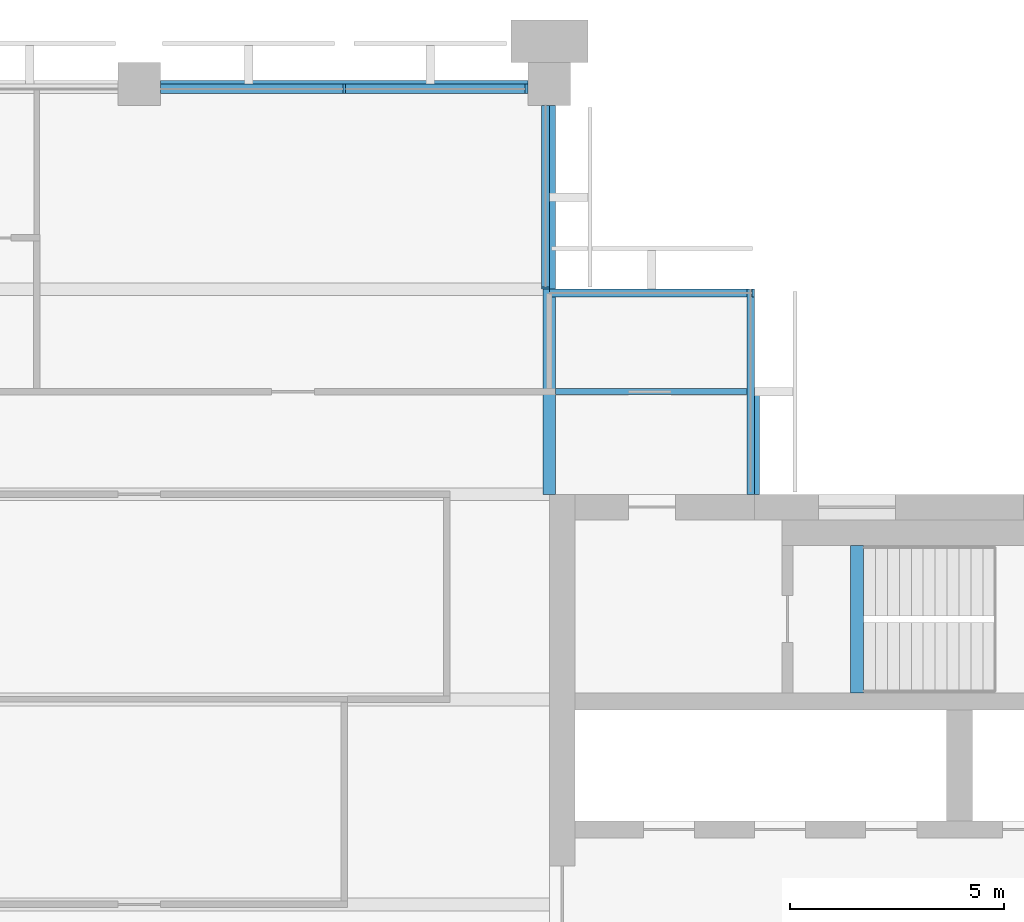
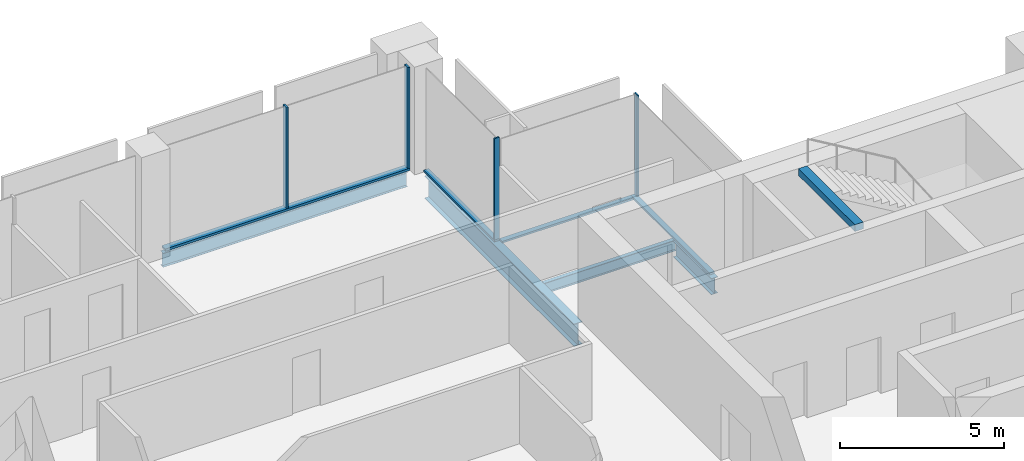
# One storey, part 6 of 12: 8 members, 5 beams, 4 elements without a shape of their own.
"""IFC4 building model written with IfcOpenShell, lengths in metres."""

from ifc_helpers import new_model, si_unit, direction, frame, origin, origin_2d, place, context, subcontext, project, spatial, rectangle, i_section, extrude, material, material_profile, profile_set, type_object, element, aggregate, save


model = new_model("IFC4")

# Units and contexts
model_context = context("Model", 3, precision=1e-05, world=origin(), true_north=direction((0.0, 1.0)))
body_context = subcontext(model_context, "Body", "Model", "MODEL_VIEW")
ifc_project = project(units=[si_unit("LENGTHUNIT", "METRE"), si_unit("AREAUNIT", "SQUARE_METRE"), si_unit("VOLUMEUNIT", "CUBIC_METRE"), si_unit("PLANEANGLEUNIT", "RADIAN"), si_unit("MASSUNIT", "GRAM", prefix="KILO")], contexts=[model_context])

# Site, building, storey
site_placement = place(None, origin())
site = spatial("IfcSite", under=ifc_project, at=site_placement, CompositionType="ELEMENT")
building_placement = place(site_placement, origin())
building = spatial("IfcBuilding", under=site, at=building_placement, Name="Baori Bourse Tower", CompositionType="ELEMENT")
storey_placement = place(building_placement, frame((0.0, 0.0, 286.300048828125)))
storey = spatial("IfcBuildingStorey", under=building, at=storey_placement, Name="L62", CompositionType="ELEMENT", Elevation=286.300048828125)

# Curtain wall, member
ifc_material_1 = material(Name="Pale anodised aluminium", Category="aluminium")
curtain_wall_type_1 = type_object("IfcCurtainWallType", Name="CW2 Curtain wall", PredefinedType="NOTDEFINED", material=ifc_material_1)
curtain_wall_1_placement = place(storey_placement, origin())
curtain_wall_1 = element("IfcCurtainWall", 1, at=curtain_wall_1_placement, inside=storey, type_object=curtain_wall_type_1, Name="Curtain wall CW2 L62 2", PredefinedType="NOTDEFINED")
ifc_material_2 = material(Name="Pale anodised aluminium", Category="aluminium")
ifc_material_profile_1 = material_profile(ifc_material_2, rectangle(XDim=0.179931640625, YDim=0.054931640625, at=origin_2d()), Name="Mullion 55x180")
ifc_profile_set_1 = profile_set([ifc_material_profile_1], Name="Pale anodised aluminium")
member_type_1 = type_object("IfcMemberType", Name="CW2 Curtain wall mullion", PredefinedType="MULLION", material=ifc_profile_set_1)
member_1_placement = place(storey_placement, frame((43.172607421875, 43.110107421875, 0.070068359375), z_axis=(0.0, 0.0, 1.0), x_axis=(0.0, -1.0, 0.0)))
member_1 = element("IfcMember", 2, at=member_1_placement, type_object=member_type_1, Name="Curtain wall CW2 mullion", PredefinedType="MULLION", context=body_context, shape_type="SweptSolid", body=[
    extrude(rectangle(XDim=0.179931640625, YDim=0.054931640625, at=origin_2d()), origin(), (0.0, 0.0, 1.0), 3.769775390625),
])

curtain_wall_2_placement = place(storey_placement, origin())
curtain_wall_2 = element("IfcCurtainWall", 3, at=curtain_wall_2_placement, inside=storey, type_object=curtain_wall_type_1, Name="Curtain wall CW2 L62 3", PredefinedType="NOTDEFINED")
member_2_placement = place(storey_placement, frame((38.31005859375, 43.2275390625, 0.070068359375), z_axis=(0.0, 0.0, 1.0), x_axis=(-1.0, 0.0, 0.0)))
member_2 = element("IfcMember", 4, at=member_2_placement, type_object=member_type_1, Name="Curtain wall CW2 mullion", PredefinedType="MULLION", context=body_context, shape_type="SweptSolid", body=[
    extrude(rectangle(XDim=0.179931640625, YDim=0.054931640625, at=origin_2d()), origin(), (0.0, 0.0, 1.0), 3.769775390625),
])

curtain_wall_3_placement = place(storey_placement, origin())
curtain_wall_3 = element("IfcCurtainWall", 5, at=curtain_wall_3_placement, inside=storey, type_object=curtain_wall_type_1, Name="Curtain wall CW2 L62 1", PredefinedType="NOTDEFINED")
ifc_material_3 = material(Name="Pale anodised aluminium", Category="aluminium")
ifc_material_profile_2 = material_profile(ifc_material_3, rectangle(XDim=0.179931640625, YDim=0.070068359375, at=origin_2d()), Name="Transom 70x180")
ifc_profile_set_2 = profile_set([ifc_material_profile_2], Name="Pale anodised aluminium")
member_type_2 = type_object("IfcMemberType", Name="CW2 Curtain wall transom", PredefinedType="USERDEFINED", material=ifc_profile_set_2)
member_3_placement = place(storey_placement, frame((43.110107421875, 38.39990234375, 0.034912109375), z_axis=(0.0, 1.0, 0.0), x_axis=(-1.0, 0.0, 0.0)))
member_3 = element("IfcMember", 6, at=member_3_placement, type_object=member_type_2, Name="Curtain wall CW2 sill rail", ObjectType="TRANSOM", PredefinedType="USERDEFINED", context=body_context, shape_type="SweptSolid", body=[
    extrude(rectangle(XDim=0.179931640625, YDim=0.070068359375, at=origin_2d()), origin(), (0.0, 0.0, 1.0), 4.800048828125),
])
aggregate(curtain_wall_3, [member_3])

# Member
member_4_placement = place(storey_placement, frame((43.199951171875, 43.110107421875, 0.034912109375), z_axis=(-1.0, 0.0, 0.0), x_axis=(0.0, -1.0, 0.0)))
member_4 = element("IfcMember", 7, at=member_4_placement, type_object=member_type_2, Name="Curtain wall CW2 sill rail", ObjectType="TRANSOM", PredefinedType="USERDEFINED", context=body_context, shape_type="SweptSolid", body=[
    extrude(rectangle(XDim=0.179931640625, YDim=0.070068359375, at=origin_2d()), origin(), (0.0, 0.0, 1.0), 4.800048828125),
])

aggregate(curtain_wall_1, [member_4, member_1])

member_5_placement = place(storey_placement, frame((38.31005859375, 43.199951171875, 0.034912109375), z_axis=(0.0, 1.0, 0.0), x_axis=(-1.0, 0.0, 0.0)))
member_5 = element("IfcMember", 8, at=member_5_placement, type_object=member_type_2, Name="Curtain wall CW2 sill rail", ObjectType="TRANSOM", PredefinedType="USERDEFINED", context=body_context, shape_type="SweptSolid", body=[
    extrude(rectangle(XDim=0.179931640625, YDim=0.070068359375, at=origin_2d()), origin(), (0.0, 0.0, 1.0), 4.300048828125),
])

aggregate(curtain_wall_2, [member_5, member_2])

# Curtain wall, members
ifc_material_4 = material(Name="Pale anodised aluminium", Category="aluminium")
curtain_wall_type_2 = type_object("IfcCurtainWallType", Name="CW5 Curtain wall", PredefinedType="NOTDEFINED", material=ifc_material_4)
curtain_wall_4_placement = place(storey_placement, origin())
curtain_wall_4 = element("IfcCurtainWall", 9, at=curtain_wall_4_placement, inside=storey, type_object=curtain_wall_type_2, Name="Curtain wall CW5 L62 4", PredefinedType="NOTDEFINED")
ifc_material_5 = material(Name="Pale anodised aluminium", Category="aluminium")
ifc_material_profile_3 = material_profile(ifc_material_5, rectangle(XDim=0.219970703125, YDim=0.06494140625, at=origin_2d()), Name="Mullion 65x220")
ifc_profile_set_3 = profile_set([ifc_material_profile_3], Name="Pale anodised aluminium")
member_type_3 = type_object("IfcMemberType", Name="CW5 Curtain wall mullion", PredefinedType="MULLION", material=ifc_profile_set_3)
member_6_placement = place(storey_placement, frame((37.867431640625, 47.889892578125, 0.0849609375), z_axis=(0.0, 0.0, 1.0), x_axis=(0.0, -1.0, 0.0)))
member_6 = element("IfcMember", 10, at=member_6_placement, type_object=member_type_3, Name="Curtain wall CW5 mullion", PredefinedType="MULLION", context=body_context, shape_type="SweptSolid", body=[
    extrude(rectangle(XDim=0.219970703125, YDim=0.06494140625, at=origin_2d()), origin(), (0.0, 0.0, 1.0), 3.7548828125),
])
member_7_placement = place(storey_placement, frame((33.60009765625, 47.889892578125, 0.0849609375), z_axis=(0.0, 0.0, 1.0), x_axis=(0.0, -1.0, 0.0)))
member_7 = element("IfcMember", 11, at=member_7_placement, type_object=member_type_3, Name="Curtain wall CW5 mullion", PredefinedType="MULLION", context=body_context, shape_type="SweptSolid", body=[
    extrude(rectangle(XDim=0.219970703125, YDim=0.06494140625, at=origin_2d()), origin(), (0.0, 0.0, 1.0), 3.7548828125),
])
ifc_material_6 = material(Name="Pale anodised aluminium", Category="aluminium")
ifc_material_profile_4 = material_profile(ifc_material_6, rectangle(XDim=0.219970703125, YDim=0.0849609375, at=origin_2d()), Name="Transom 85x220")
ifc_profile_set_4 = profile_set([ifc_material_profile_4], Name="Pale anodised aluminium")
member_type_4 = type_object("IfcMemberType", Name="CW5 Curtain wall transom", PredefinedType="USERDEFINED", material=ifc_profile_set_4)
member_8_placement = place(storey_placement, frame((37.89990234375, 47.889892578125, 0.04248046875), z_axis=(-1.0, 0.0, 0.0), x_axis=(0.0, -1.0, 0.0)))
member_8 = element("IfcMember", 12, at=member_8_placement, type_object=member_type_4, Name="Curtain wall CW5 sill rail", ObjectType="TRANSOM", PredefinedType="USERDEFINED", context=body_context, shape_type="SweptSolid", body=[
    extrude(rectangle(XDim=0.219970703125, YDim=0.0849609375, at=origin_2d()), origin(), (0.0, 0.0, 1.0), 8.599853515625),
])
aggregate(curtain_wall_4, [member_8, member_6, member_7])

# Beams
ifc_material_7 = material(Name="Steel A992 Gr 50", Category="steel")
ifc_material_profile_5 = material_profile(ifc_material_7, i_section(OverallWidth=0.227783203125, OverallDepth=0.60205078125, WebThickness=0.010498046875, FlangeThickness=0.014892578125, at=origin_2d()), Name="W24x68")
ifc_profile_set_5 = profile_set([ifc_material_profile_5], Name="Steel A992 Gr 50")
beam_type_1 = type_object("IfcBeamType", Name="Core bracket W24x68", PredefinedType="BEAM", material=ifc_profile_set_5)
beam_1_placement = place(storey_placement, frame((43.199951171875, 38.39990234375, -0.4609375), z_axis=(0.0, 1.0, 0.0), x_axis=(-1.0, 0.0, 0.0)))
element("IfcBeam", 13, at=beam_1_placement, inside=storey, type_object=beam_type_1, Name="Core bracket L62", PredefinedType="BEAM", context=body_context, shape_type="SweptSolid", body=[
    extrude(i_section(OverallWidth=0.227783203125, OverallDepth=0.60205078125, WebThickness=0.010498046875, FlangeThickness=0.014892578125, at=origin_2d()), origin(), (0.0, 0.0, 1.0), 2.329833984375),
])
ifc_material_8 = material(Name="Steel A992 Gr 50", Category="steel")
ifc_material_profile_6 = material_profile(ifc_material_8, i_section(OverallWidth=0.1650390625, OverallDepth=0.52587890625, WebThickness=0.0087890625, FlangeThickness=0.011474609375, at=origin_2d()), Name="W21x44")
ifc_profile_set_6 = profile_set([ifc_material_profile_6], Name="Steel A992 Gr 50")
beam_type_2 = type_object("IfcBeamType", Name="Edge beam W21x44", PredefinedType="BEAM", material=ifc_profile_set_6)
beam_2_placement = place(storey_placement, frame((29.300048828125, 48.0, -0.4228515625), z_axis=(1.0, 0.0, 0.0), x_axis=(0.0, 1.0, 0.0)))
element("IfcBeam", 14, at=beam_2_placement, inside=storey, type_object=beam_type_2, Name="Edge beam L62", PredefinedType="BEAM", context=body_context, shape_type="SweptSolid", body=[
    extrude(i_section(OverallWidth=0.1650390625, OverallDepth=0.52587890625, WebThickness=0.0087890625, FlangeThickness=0.011474609375, at=origin_2d()), origin(), (0.0, 0.0, 1.0), 8.599853515625),
])
ifc_material_9 = material(Name="Steel A992 Gr 50", Category="steel")
ifc_material_profile_7 = material_profile(ifc_material_9, i_section(OverallWidth=0.2919921875, OverallDepth=0.835693359375, WebThickness=0.013916015625, FlangeThickness=0.018798828125, at=origin_2d()), Name="W33x118")
ifc_profile_set_7 = profile_set([ifc_material_profile_7], Name="Steel A992 Gr 50")
beam_type_3 = type_object("IfcBeamType", Name="Girder W33x118", PredefinedType="BEAM", material=ifc_profile_set_7)
beam_3_placement = place(storey_placement, frame((38.39990234375, 38.39990234375, -0.577880859375), z_axis=(0.0, 1.0, 0.0), x_axis=(-1.0, 0.0, 0.0)))
element("IfcBeam", 15, at=beam_3_placement, inside=storey, type_object=beam_type_3, Name="Girder L62", PredefinedType="BEAM", context=body_context, shape_type="SweptSolid", body=[
    extrude(i_section(OverallWidth=0.2919921875, OverallDepth=0.835693359375, WebThickness=0.013916015625, FlangeThickness=0.018798828125, at=origin_2d()), origin(), (0.0, 0.0, 1.0), 9.10009765625),
])
ifc_material_10 = material(Name="Concrete f'c 50 MPa", Category="concrete")
ifc_material_profile_8 = material_profile(ifc_material_10, rectangle(XDim=0.300048828125, YDim=0.25, at=origin_2d()), Name="RC 300x250")
ifc_profile_set_8 = profile_set([ifc_material_profile_8], Name="Concrete f'c 50 MPa")
beam_type_4 = type_object("IfcBeamType", Name="Stair nib beam RC 300x250", PredefinedType="BEAM", material=ifc_profile_set_8)
beam_4_placement = place(storey_placement, frame((45.60009765625, 33.75, 3.71484375), z_axis=(0.0, 1.0, 0.0), x_axis=(-1.0, 0.0, 0.0)))
element("IfcBeam", 16, at=beam_4_placement, inside=storey, type_object=beam_type_4, Name="Stair EB nib beam L63", PredefinedType="BEAM", context=body_context, shape_type="SweptSolid", body=[
    extrude(rectangle(XDim=0.300048828125, YDim=0.25, at=origin_2d()), origin(), (0.0, 0.0, 1.0), 3.449951171875),
])
ifc_material_11 = material(Name="Steel A992 Gr 50", Category="steel")
ifc_material_profile_9 = material_profile(ifc_material_11, i_section(OverallWidth=0.140380859375, OverallDepth=0.40380859375, WebThickness=0.007080078125, FlangeThickness=0.01123046875, at=origin_2d()), Name="W16x31")
ifc_profile_set_9 = profile_set([ifc_material_profile_9], Name="Steel A992 Gr 50")
beam_type_5 = type_object("IfcBeamType", Name="Trimmer beam W16x31", PredefinedType="BEAM", material=ifc_profile_set_9)
beam_5_placement = place(storey_placement, frame((38.546142578125, 40.800048828125, -0.362060546875), z_axis=(1.0, 0.0, 0.0), x_axis=(0.0, 1.0, 0.0)))
element("IfcBeam", 17, at=beam_5_placement, inside=storey, type_object=beam_type_5, Name="Trimmer beam L62", PredefinedType="BEAM", context=body_context, shape_type="SweptSolid", body=[
    extrude(i_section(OverallWidth=0.140380859375, OverallDepth=0.40380859375, WebThickness=0.007080078125, FlangeThickness=0.01123046875, at=origin_2d()), origin(), (0.0, 0.0, 1.0), 4.65380859375),
])

save(model, "model.ifc")
